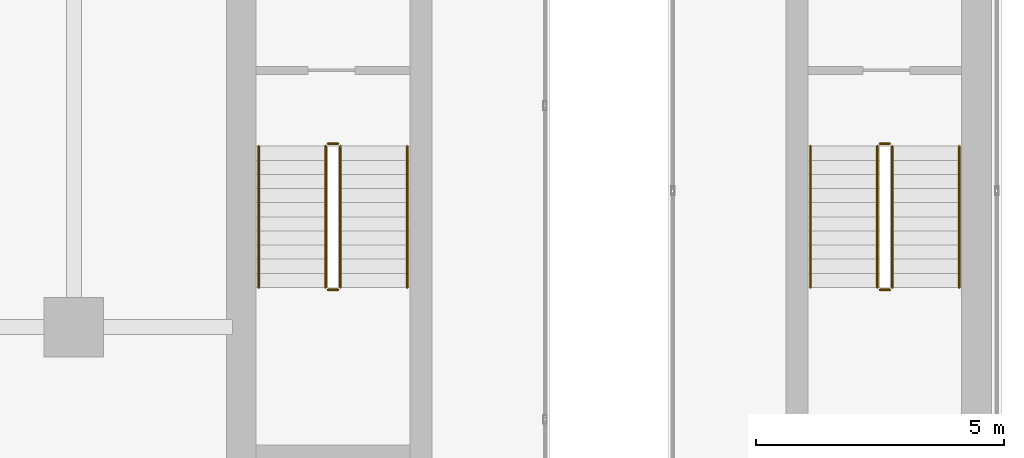
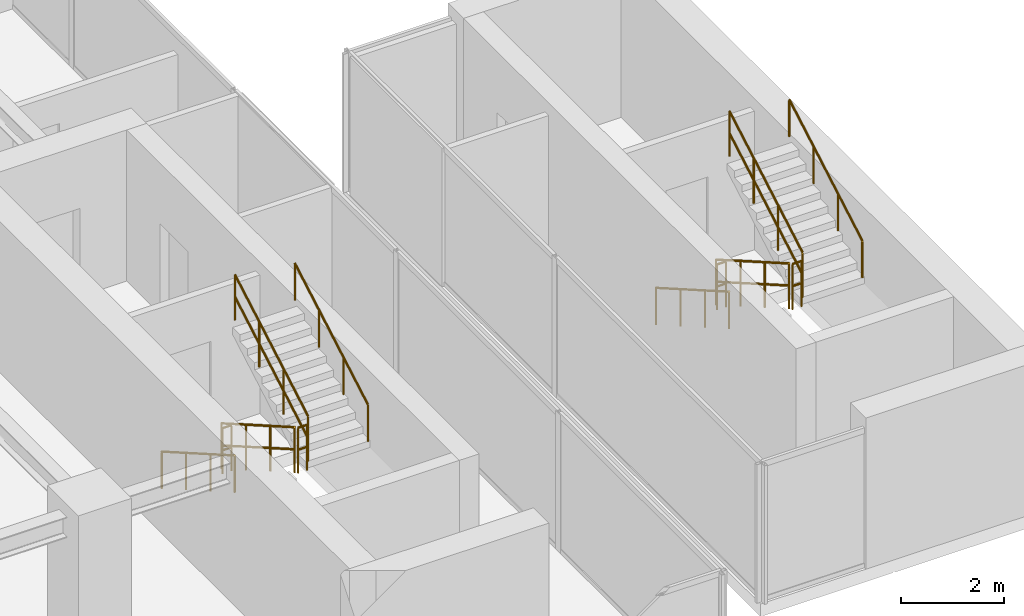
# One storey, part 16 of 16: 12 railings.
"""IFC4 building model written with IfcOpenShell, lengths in metres."""

from ifc_helpers import new_model, si_unit, direction, frame, origin, origin_2d, place, context, subcontext, project, spatial, circle, extrude, material, layer, layer_set, type_object, element, save


model = new_model("IFC4")

# Units and contexts
model_context = context("Model", 3, precision=1e-05, world=origin(), true_north=direction((0.0, 1.0)))
body_context = subcontext(model_context, "Body", "Model", "MODEL_VIEW")
ifc_project = project(units=[si_unit("LENGTHUNIT", "METRE"), si_unit("AREAUNIT", "SQUARE_METRE"), si_unit("VOLUMEUNIT", "CUBIC_METRE"), si_unit("PLANEANGLEUNIT", "RADIAN"), si_unit("MASSUNIT", "GRAM", prefix="KILO")], contexts=[model_context])

# Site, building, storey
site_placement = place(None, origin())
site = spatial("IfcSite", under=ifc_project, at=site_placement, CompositionType="ELEMENT")
building_placement = place(site_placement, origin())
building = spatial("IfcBuilding", under=site, at=building_placement, Name="Krantzveldt Concourse Tower", CompositionType="ELEMENT")
storey_placement = place(building_placement, frame((0.0, 0.0, 381.85009765625)))
storey = spatial("IfcBuildingStorey", under=building, at=storey_placement, Name="L94", CompositionType="ELEMENT", Elevation=381.85009765625)

# Railings
ifc_material = material(Name="Stainless steel 316L", Category="steel")
ifc_layer_1 = layer(ifc_material, 0.06005859375, Name="Stainless steel 316L", Category="steel")
ifc_layer_set_1 = layer_set([ifc_layer_1], Name="Stainless steel 316L (RL-GUARD-1120)")
railing_type_1 = type_object("IfcRailingType", Name="RL-GUARD-1120", PredefinedType="GUARDRAIL", material=ifc_layer_set_1)
railing_1_placement = place(storey_placement, frame((30.280029296875, 19.550048828125, 0.16357421875)))
element("IfcRailing", 1, at=railing_1_placement, inside=storey, type_object=railing_type_1, Name="L94 ST-1 stair guard 1", PredefinedType="GUARDRAIL", context=body_context, shape_type="SweptSolid", body=[
    extrude(circle(Radius=0.02392578125, at=origin_2d()), frame((0.0, 0.0, 1.076171875), z_axis=(0.0, -0.867244780686, 0.497882004468), x_axis=(1.0, 0.0, 0.0)), (0.0, 0.0, 1.0), 3.286376953125),
    extrude(circle(Radius=0.02392578125, at=origin_2d()), frame((0.0, 0.0, 0.550048828125), z_axis=(0.0, -0.867244780686, 0.497882004468), x_axis=(1.0, 0.0, 0.0)), (0.0, 0.0, 1.0), 3.286376953125),
    extrude(circle(Radius=0.02099609375, at=origin_2d()), origin(), (0.0, 0.0, 1.0), 1.052001953125),
    extrude(circle(Radius=0.02099609375, at=origin_2d()), frame((0.0, -0.949951171875, 0.54541015625)), (0.0, 0.0, 1.0), 1.052001953125),
    extrude(circle(Radius=0.02099609375, at=origin_2d()), frame((0.0, -1.900146484375, 1.0908203125)), (0.0, 0.0, 1.0), 1.052001953125),
    extrude(circle(Radius=0.02099609375, at=origin_2d()), frame((0.0, -2.85009765625, 1.63623046875)), (0.0, 0.0, 1.0), 1.052001953125),
])
railing_2_placement = place(storey_placement, frame((30.330078125, 16.64990234375, 1.7998046875)))
element("IfcRailing", 2, at=railing_2_placement, inside=storey, type_object=railing_type_1, Name="L94 ST-1 stair guard 2", PredefinedType="GUARDRAIL", context=body_context, shape_type="SweptSolid", body=[
    extrude(circle(Radius=0.02392578125, at=origin_2d()), frame((0.0, 0.0, 1.076171875), z_axis=(1.0, 0.0, 0.0), x_axis=(0.0, 1.0, 0.0)), (0.0, 0.0, 1.0), 0.199951171875),
    extrude(circle(Radius=0.02392578125, at=origin_2d()), frame((0.0, 0.0, 0.550048828125), z_axis=(1.0, 0.0, 0.0), x_axis=(0.0, 1.0, 0.0)), (0.0, 0.0, 1.0), 0.199951171875),
    extrude(circle(Radius=0.02099609375, at=origin_2d()), origin(), (0.0, 0.0, 1.0), 1.052001953125),
    extrude(circle(Radius=0.02099609375, at=origin_2d()), frame((0.199951171875, 0.0, 0.0)), (0.0, 0.0, 1.0), 1.052001953125),
])
railing_3_placement = place(storey_placement, frame((30.580078125, 16.699951171875, 1.963623046875)))
element("IfcRailing", 3, at=railing_3_placement, inside=storey, type_object=railing_type_1, Name="L94 ST-1 stair guard 3", PredefinedType="GUARDRAIL", context=body_context, shape_type="SweptSolid", body=[
    extrude(circle(Radius=0.02392578125, at=origin_2d()), frame((0.0, 0.0, 1.076171875), z_axis=(0.0, 0.867244780686, 0.497882004468), x_axis=(-1.0, 0.0, 0.0)), (0.0, 0.0, 1.0), 3.286376953125),
    extrude(circle(Radius=0.02392578125, at=origin_2d()), frame((0.0, 0.0, 0.550048828125), z_axis=(0.0, 0.867244780686, 0.497882004468), x_axis=(-1.0, 0.0, 0.0)), (0.0, 0.0, 1.0), 3.286376953125),
    extrude(circle(Radius=0.02099609375, at=origin_2d()), origin(), (0.0, 0.0, 1.0), 1.052001953125),
    extrude(circle(Radius=0.02099609375, at=origin_2d()), frame((0.0, 0.949951171875, 0.54541015625)), (0.0, 0.0, 1.0), 1.052001953125),
    extrude(circle(Radius=0.02099609375, at=origin_2d()), frame((0.0, 1.900146484375, 1.0908203125)), (0.0, 0.0, 1.0), 1.052001953125),
    extrude(circle(Radius=0.02099609375, at=origin_2d()), frame((0.0, 2.85009765625, 1.63623046875)), (0.0, 0.0, 1.0), 1.052001953125),
])
railing_4_placement = place(storey_placement, frame((30.330078125, 19.60009765625, 0.0)))
element("IfcRailing", 4, at=railing_4_placement, inside=storey, type_object=railing_type_1, Name="L94 ST-1 stair guard 4", PredefinedType="GUARDRAIL", context=body_context, shape_type="SweptSolid", body=[
    extrude(circle(Radius=0.02392578125, at=origin_2d()), frame((0.0, 0.0, 1.076171875), z_axis=(1.0, 0.0, 0.0), x_axis=(0.0, 1.0, 0.0)), (0.0, 0.0, 1.0), 0.199951171875),
    extrude(circle(Radius=0.02392578125, at=origin_2d()), frame((0.0, 0.0, 0.550048828125), z_axis=(1.0, 0.0, 0.0), x_axis=(0.0, 1.0, 0.0)), (0.0, 0.0, 1.0), 0.199951171875),
    extrude(circle(Radius=0.02099609375, at=origin_2d()), origin(), (0.0, 0.0, 1.0), 1.052001953125),
    extrude(circle(Radius=0.02099609375, at=origin_2d()), frame((0.199951171875, 0.0, 0.0)), (0.0, 0.0, 1.0), 1.052001953125),
])
railing_5_placement = place(storey_placement, frame((41.419921875, 19.550048828125, 0.16357421875)))
element("IfcRailing", 5, at=railing_5_placement, inside=storey, type_object=railing_type_1, Name="L94 ST-2 stair guard 1", PredefinedType="GUARDRAIL", context=body_context, shape_type="SweptSolid", body=[
    extrude(circle(Radius=0.02392578125, at=origin_2d()), frame((0.0, 0.0, 1.076171875), z_axis=(0.0, -0.867244780686, 0.497882004468), x_axis=(1.0, 0.0, 0.0)), (0.0, 0.0, 1.0), 3.286376953125),
    extrude(circle(Radius=0.02392578125, at=origin_2d()), frame((0.0, 0.0, 0.550048828125), z_axis=(0.0, -0.867244780686, 0.497882004468), x_axis=(1.0, 0.0, 0.0)), (0.0, 0.0, 1.0), 3.286376953125),
    extrude(circle(Radius=0.02099609375, at=origin_2d()), origin(), (0.0, 0.0, 1.0), 1.052001953125),
    extrude(circle(Radius=0.02099609375, at=origin_2d()), frame((0.0, -0.949951171875, 0.54541015625)), (0.0, 0.0, 1.0), 1.052001953125),
    extrude(circle(Radius=0.02099609375, at=origin_2d()), frame((0.0, -1.900146484375, 1.0908203125)), (0.0, 0.0, 1.0), 1.052001953125),
    extrude(circle(Radius=0.02099609375, at=origin_2d()), frame((0.0, -2.85009765625, 1.63623046875)), (0.0, 0.0, 1.0), 1.052001953125),
])
railing_6_placement = place(storey_placement, frame((41.469970703125, 16.64990234375, 1.7998046875)))
element("IfcRailing", 6, at=railing_6_placement, inside=storey, type_object=railing_type_1, Name="L94 ST-2 stair guard 2", PredefinedType="GUARDRAIL", context=body_context, shape_type="SweptSolid", body=[
    extrude(circle(Radius=0.02392578125, at=origin_2d()), frame((0.0, 0.0, 1.076171875), z_axis=(1.0, 0.0, 0.0), x_axis=(0.0, 1.0, 0.0)), (0.0, 0.0, 1.0), 0.199951171875),
    extrude(circle(Radius=0.02392578125, at=origin_2d()), frame((0.0, 0.0, 0.550048828125), z_axis=(1.0, 0.0, 0.0), x_axis=(0.0, 1.0, 0.0)), (0.0, 0.0, 1.0), 0.199951171875),
    extrude(circle(Radius=0.02099609375, at=origin_2d()), origin(), (0.0, 0.0, 1.0), 1.052001953125),
    extrude(circle(Radius=0.02099609375, at=origin_2d()), frame((0.199951171875, 0.0, 0.0)), (0.0, 0.0, 1.0), 1.052001953125),
])
railing_7_placement = place(storey_placement, frame((41.719970703125, 16.699951171875, 1.963623046875)))
element("IfcRailing", 7, at=railing_7_placement, inside=storey, type_object=railing_type_1, Name="L94 ST-2 stair guard 3", PredefinedType="GUARDRAIL", context=body_context, shape_type="SweptSolid", body=[
    extrude(circle(Radius=0.02392578125, at=origin_2d()), frame((0.0, 0.0, 1.076171875), z_axis=(0.0, 0.867244780686, 0.497882004468), x_axis=(-1.0, 0.0, 0.0)), (0.0, 0.0, 1.0), 3.286376953125),
    extrude(circle(Radius=0.02392578125, at=origin_2d()), frame((0.0, 0.0, 0.550048828125), z_axis=(0.0, 0.867244780686, 0.497882004468), x_axis=(-1.0, 0.0, 0.0)), (0.0, 0.0, 1.0), 3.286376953125),
    extrude(circle(Radius=0.02099609375, at=origin_2d()), origin(), (0.0, 0.0, 1.0), 1.052001953125),
    extrude(circle(Radius=0.02099609375, at=origin_2d()), frame((0.0, 0.949951171875, 0.54541015625)), (0.0, 0.0, 1.0), 1.052001953125),
    extrude(circle(Radius=0.02099609375, at=origin_2d()), frame((0.0, 1.900146484375, 1.0908203125)), (0.0, 0.0, 1.0), 1.052001953125),
    extrude(circle(Radius=0.02099609375, at=origin_2d()), frame((0.0, 2.85009765625, 1.63623046875)), (0.0, 0.0, 1.0), 1.052001953125),
])
railing_8_placement = place(storey_placement, frame((41.469970703125, 19.60009765625, 0.0)))
element("IfcRailing", 8, at=railing_8_placement, inside=storey, type_object=railing_type_1, Name="L94 ST-2 stair guard 4", PredefinedType="GUARDRAIL", context=body_context, shape_type="SweptSolid", body=[
    extrude(circle(Radius=0.02392578125, at=origin_2d()), frame((0.0, 0.0, 1.076171875), z_axis=(1.0, 0.0, 0.0), x_axis=(0.0, 1.0, 0.0)), (0.0, 0.0, 1.0), 0.199951171875),
    extrude(circle(Radius=0.02392578125, at=origin_2d()), frame((0.0, 0.0, 0.550048828125), z_axis=(1.0, 0.0, 0.0), x_axis=(0.0, 1.0, 0.0)), (0.0, 0.0, 1.0), 0.199951171875),
    extrude(circle(Radius=0.02099609375, at=origin_2d()), origin(), (0.0, 0.0, 1.0), 1.052001953125),
    extrude(circle(Radius=0.02099609375, at=origin_2d()), frame((0.199951171875, 0.0, 0.0)), (0.0, 0.0, 1.0), 1.052001953125),
])
ifc_layer_2 = layer(ifc_material, 0.050048828125, Name="Stainless steel 316L", Category="steel")
ifc_layer_set_2 = layer_set([ifc_layer_2], Name="Stainless steel 316L (RL-HANDRAIL-920)")
railing_type_2 = type_object("IfcRailingType", Name="RL-HANDRAIL-920", PredefinedType="HANDRAIL", material=ifc_layer_set_2)
railing_9_placement = place(storey_placement, frame((28.929931640625, 19.550048828125, 0.16357421875)))
element("IfcRailing", 9, at=railing_9_placement, inside=storey, type_object=railing_type_2, Name="L94 ST-1 stair handrail 1", PredefinedType="HANDRAIL", context=body_context, shape_type="SweptSolid", body=[
    extrude(circle(Radius=0.02392578125, at=origin_2d()), frame((0.0, 0.0, 0.8759765625), z_axis=(0.0, -0.867244780686, 0.497882004468), x_axis=(1.0, 0.0, 0.0)), (0.0, 0.0, 1.0), 3.286376953125),
    extrude(circle(Radius=0.02099609375, at=origin_2d()), origin(), (0.0, 0.0, 1.0), 0.851806640625),
    extrude(circle(Radius=0.02099609375, at=origin_2d()), frame((0.0, -0.949951171875, 0.54541015625)), (0.0, 0.0, 1.0), 0.851806640625),
    extrude(circle(Radius=0.02099609375, at=origin_2d()), frame((0.0, -1.900146484375, 1.0908203125)), (0.0, 0.0, 1.0), 0.851806640625),
    extrude(circle(Radius=0.02099609375, at=origin_2d()), frame((0.0, -2.85009765625, 1.63623046875)), (0.0, 0.0, 1.0), 0.851806640625),
])
railing_10_placement = place(storey_placement, frame((31.929931640625, 16.699951171875, 1.963623046875)))
element("IfcRailing", 10, at=railing_10_placement, inside=storey, type_object=railing_type_2, Name="L94 ST-1 stair handrail 2", PredefinedType="HANDRAIL", context=body_context, shape_type="SweptSolid", body=[
    extrude(circle(Radius=0.02392578125, at=origin_2d()), frame((0.0, 0.0, 0.8759765625), z_axis=(0.0, 0.867244780686, 0.497882004468), x_axis=(-1.0, 0.0, 0.0)), (0.0, 0.0, 1.0), 3.286376953125),
    extrude(circle(Radius=0.02099609375, at=origin_2d()), origin(), (0.0, 0.0, 1.0), 0.851806640625),
    extrude(circle(Radius=0.02099609375, at=origin_2d()), frame((0.0, 0.949951171875, 0.54541015625)), (0.0, 0.0, 1.0), 0.851806640625),
    extrude(circle(Radius=0.02099609375, at=origin_2d()), frame((0.0, 1.900146484375, 1.0908203125)), (0.0, 0.0, 1.0), 0.851806640625),
    extrude(circle(Radius=0.02099609375, at=origin_2d()), frame((0.0, 2.85009765625, 1.63623046875)), (0.0, 0.0, 1.0), 0.851806640625),
])
railing_11_placement = place(storey_placement, frame((40.070068359375, 19.550048828125, 0.16357421875)))
element("IfcRailing", 11, at=railing_11_placement, inside=storey, type_object=railing_type_2, Name="L94 ST-2 stair handrail 1", PredefinedType="HANDRAIL", context=body_context, shape_type="SweptSolid", body=[
    extrude(circle(Radius=0.02392578125, at=origin_2d()), frame((0.0, 0.0, 0.8759765625), z_axis=(0.0, -0.867244780686, 0.497882004468), x_axis=(1.0, 0.0, 0.0)), (0.0, 0.0, 1.0), 3.286376953125),
    extrude(circle(Radius=0.02099609375, at=origin_2d()), origin(), (0.0, 0.0, 1.0), 0.851806640625),
    extrude(circle(Radius=0.02099609375, at=origin_2d()), frame((0.0, -0.949951171875, 0.54541015625)), (0.0, 0.0, 1.0), 0.851806640625),
    extrude(circle(Radius=0.02099609375, at=origin_2d()), frame((0.0, -1.900146484375, 1.0908203125)), (0.0, 0.0, 1.0), 0.851806640625),
    extrude(circle(Radius=0.02099609375, at=origin_2d()), frame((0.0, -2.85009765625, 1.63623046875)), (0.0, 0.0, 1.0), 0.851806640625),
])
railing_12_placement = place(storey_placement, frame((43.070068359375, 16.699951171875, 1.963623046875)))
element("IfcRailing", 12, at=railing_12_placement, inside=storey, type_object=railing_type_2, Name="L94 ST-2 stair handrail 2", PredefinedType="HANDRAIL", context=body_context, shape_type="SweptSolid", body=[
    extrude(circle(Radius=0.02392578125, at=origin_2d()), frame((0.0, 0.0, 0.8759765625), z_axis=(0.0, 0.867244780686, 0.497882004468), x_axis=(-1.0, 0.0, 0.0)), (0.0, 0.0, 1.0), 3.286376953125),
    extrude(circle(Radius=0.02099609375, at=origin_2d()), origin(), (0.0, 0.0, 1.0), 0.851806640625),
    extrude(circle(Radius=0.02099609375, at=origin_2d()), frame((0.0, 0.949951171875, 0.54541015625)), (0.0, 0.0, 1.0), 0.851806640625),
    extrude(circle(Radius=0.02099609375, at=origin_2d()), frame((0.0, 1.900146484375, 1.0908203125)), (0.0, 0.0, 1.0), 0.851806640625),
    extrude(circle(Radius=0.02099609375, at=origin_2d()), frame((0.0, 2.85009765625, 1.63623046875)), (0.0, 0.0, 1.0), 0.851806640625),
])

save(model, "model.ifc")
